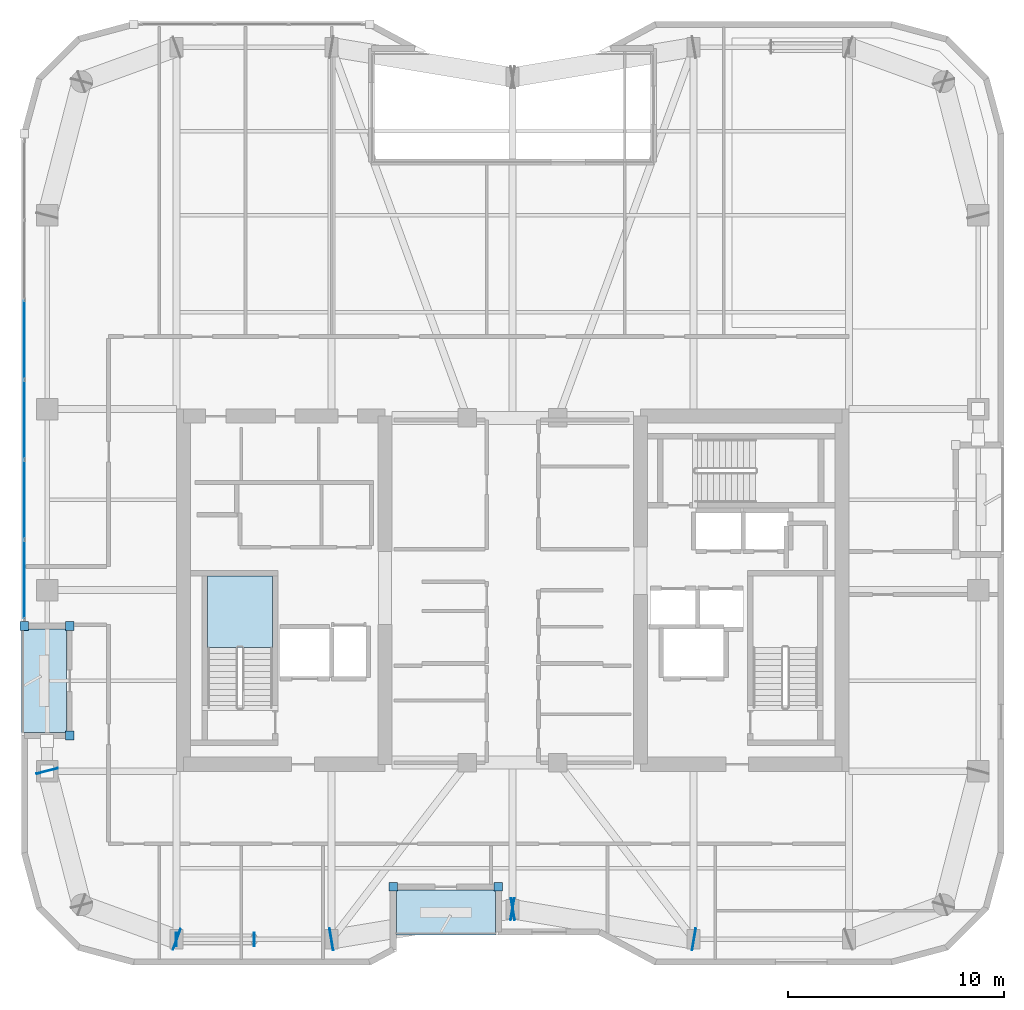
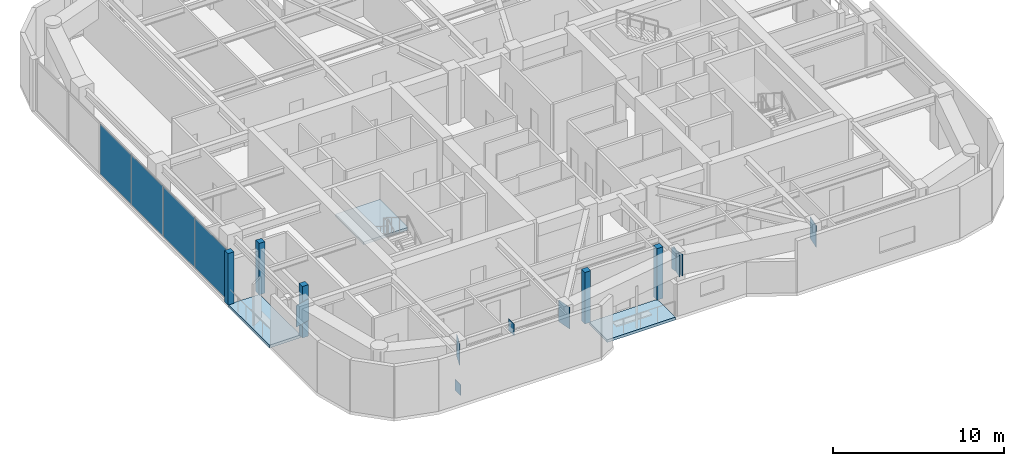
# One storey, part 12 of 22: 17 plates, 3 slabs, 2 elements without a shape of their own.
"""IFC4 building model written with IfcOpenShell, lengths in metres."""

from ifc_helpers import new_model, si_unit, direction, frame, origin, origin_2d, place, context, subcontext, project, spatial, polyline, rectangle, outline, extrude, material, layer, layer_set, type_object, element, aggregate, save


model = new_model("IFC4")

# Units and contexts
model_context = context("Model", 3, precision=1e-05, world=origin(), true_north=direction((0.0, 1.0)))
body_context = subcontext(model_context, "Body", "Model", "MODEL_VIEW")
ifc_project = project(units=[si_unit("LENGTHUNIT", "METRE"), si_unit("AREAUNIT", "SQUARE_METRE"), si_unit("VOLUMEUNIT", "CUBIC_METRE"), si_unit("PLANEANGLEUNIT", "RADIAN"), si_unit("MASSUNIT", "GRAM", prefix="KILO")], contexts=[model_context])

# Site, building, storey
site_placement = place(None, origin())
site = spatial("IfcSite", under=ifc_project, at=site_placement, CompositionType="ELEMENT")
building_placement = place(site_placement, origin())
building = spatial("IfcBuilding", under=site, at=building_placement, Name="Kiyonajd Concourse Tower", CompositionType="ELEMENT")
storey_placement = place(building_placement, frame((0.0, 0.0, 243.300048828125)))
storey = spatial("IfcBuildingStorey", under=building, at=storey_placement, Name="L61", CompositionType="ELEMENT", Elevation=243.300048828125)

# Plates
ifc_material_1 = material(Name="Steel ASTM A572 Grade 50", Category="steel")
ifc_layer_1 = layer(ifc_material_1, 0.028076171875)
ifc_layer_set_1 = layer_set([ifc_layer_1], Name="Steel ASTM A572 Grade 50")
plate_type_1 = type_object("IfcPlateType", Name="PL-CAP-450", PredefinedType="USERDEFINED", material=ifc_layer_set_1)
for number, where, z_axis, x_axis, name in (
    (1, (32.3916015625, 19.800048828125, -0.10888671875), (0.0, 0.0, 1.0), (-1.0, 0.0, 0.0), "L61 Hollow Brace End Cap Plate PBS"),
    (2, (36.00830078125, 19.800048828125, 2.93505859375), (0.0, 0.0, 1.0), (1.0, 0.0, 0.0), "L61 Hollow Brace Top Cap Plate PBS"),
):
    element("IfcPlate", number, at=place(storey_placement, frame(where, z_axis=z_axis, x_axis=x_axis)), inside=storey, type_object=plate_type_1, Name=name, ObjectType="CAP PLATE", PredefinedType="USERDEFINED", context=body_context, shape_type="SweptSolid", body=[
        extrude(rectangle(XDim=0.035888671875, YDim=0.6279296875, at=origin_2d()), origin(), (0.0, 0.0, 1.0), 0.803955078125),
    ])
ifc_layer_2 = layer(ifc_material_1, 0.031982421875)
ifc_layer_set_2 = layer_set([ifc_layer_2], Name="Steel ASTM A572 Grade 50")
plate_type_2 = type_object("IfcPlateType", Name="PL-CAP-540", PredefinedType="USERDEFINED", material=ifc_layer_set_2)
for number, where, z_axis, x_axis, name in (
    (3, (26.397216796875, 27.610595703125, 2.2099609375), (0.0, 0.0, 1.0), (-0.249873048837, 0.968278606324, 0.0), "L61 Welded Box Girder End Cap"),
    (4, (32.410400390625, 19.796142578125, 2.2099609375), (0.0, 0.0, 1.0), (0.939811951086, -0.341692107891, 0.0), "L61 Welded Box Girder End Cap"),
    (5, (39.589111328125, 19.798095703125, 2.2099609375), (0.0, 0.0, 1.0), (-0.986400586142, -0.164359008451, 0.0), "L61 Welded Box Girder End Cap"),
    (6, (48.010986328125, 21.201904296875, 2.2099609375), (0.0, 0.0, 1.0), (0.986400586142, 0.164359008451, 0.0), "L61 Welded Box Girder End Cap"),
    (7, (47.989013671875, 21.201904296875, 2.2099609375), (0.0, 0.0, 1.0), (-0.986400586142, 0.164359008451, 0.0), "L61 Welded Box Girder End Cap"),
    (8, (56.410888671875, 19.798095703125, 2.2099609375), (0.0, 0.0, 1.0), (0.986400586142, -0.164359008451, 0.0), "L61 Welded Box Girder End Cap"),
):
    element("IfcPlate", number, at=place(storey_placement, frame(where, z_axis=z_axis, x_axis=x_axis)), inside=storey, type_object=plate_type_2, Name=name, ObjectType="CAP PLATE", PredefinedType="USERDEFINED", context=body_context, shape_type="SweptSolid", body=[
        extrude(rectangle(XDim=0.035888671875, YDim=1.02001953125, at=origin_2d()), origin(), (0.0, 0.0, 1.0), 1.5400390625),
    ])

# Curtain wall, plates
ifc_material_2 = material(Name="Thermally Broken Anodised Aluminium", Category="aluminium")
ifc_layer_3 = layer(ifc_material_2, 0.179931640625)
ifc_layer_set_3 = layer_set([ifc_layer_3], Name="Thermally Broken Anodised Aluminium")
curtain_wall_type = type_object("IfcCurtainWallType", Name="CW-SYS-04", PredefinedType="NOTDEFINED", material=ifc_layer_set_3)
curtain_wall_placement = place(storey_placement, origin())
curtain_wall = element("IfcCurtainWall", 9, at=curtain_wall_placement, inside=storey, type_object=curtain_wall_type, Name="L61 Unitised Curtain Wall CW4", PredefinedType="NOTDEFINED")
ifc_material_3 = material(Name="Double Low-E Insulated Glass", Category="glass")
ifc_layer_4 = layer(ifc_material_3, 0.033935546875)
ifc_layer_set_4 = layer_set([ifc_layer_4], Name="Double Low-E Insulated Glass")
plate_type_3 = type_object("IfcPlateType", Name="PL-CW-VIS34", PredefinedType="CURTAIN_PANEL", material=ifc_layer_set_4)
plate_1_placement = place(storey_placement, frame((25.340087890625, 36.50146484375, 0.06494140625), z_axis=(0.0, 0.0, 1.0), x_axis=(0.0, 1.0, 0.0)))
plate_1 = element("IfcPlate", 10, at=plate_1_placement, type_object=plate_type_3, Name="CW4 panel 1.1", PredefinedType="CURTAIN_PANEL", context=body_context, shape_type="SweptSolid", body=[
    extrude(rectangle(XDim=3.61279296875, YDim=0.033935546875, at=origin_2d()), origin(), (0.0, 0.0, 1.0), 3.550048828125),
])
plate_2_placement = place(storey_placement, frame((25.340087890625, 40.1953125, 0.06494140625), z_axis=(0.0, 0.0, 1.0), x_axis=(0.0, 1.0, 0.0)))
plate_2 = element("IfcPlate", 11, at=plate_2_placement, type_object=plate_type_3, Name="CW4 panel 2.1", PredefinedType="CURTAIN_PANEL", context=body_context, shape_type="SweptSolid", body=[
    extrude(rectangle(XDim=3.645263671875, YDim=0.033935546875, at=origin_2d()), origin(), (0.0, 0.0, 1.0), 3.550048828125),
])
plate_3_placement = place(storey_placement, frame((25.340087890625, 43.90576171875, 0.06494140625), z_axis=(0.0, 0.0, 1.0), x_axis=(0.0, 1.0, 0.0)))
plate_3 = element("IfcPlate", 12, at=plate_3_placement, type_object=plate_type_3, Name="CW4 panel 3.1", PredefinedType="CURTAIN_PANEL", context=body_context, shape_type="SweptSolid", body=[
    extrude(rectangle(XDim=3.645263671875, YDim=0.033935546875, at=origin_2d()), origin(), (0.0, 0.0, 1.0), 3.550048828125),
])
plate_4_placement = place(storey_placement, frame((25.340087890625, 47.615966796875, 0.06494140625), z_axis=(0.0, 0.0, 1.0), x_axis=(0.0, 1.0, 0.0)))
plate_4 = element("IfcPlate", 13, at=plate_4_placement, type_object=plate_type_3, Name="CW4 panel 4.1", PredefinedType="CURTAIN_PANEL", context=body_context, shape_type="SweptSolid", body=[
    extrude(rectangle(XDim=3.645263671875, YDim=0.033935546875, at=origin_2d()), origin(), (0.0, 0.0, 1.0), 3.550048828125),
])
aggregate(curtain_wall, [plate_1, plate_2, plate_3, plate_4])

# Plates
ifc_layer_5 = layer(ifc_material_2, 0.39990234375)
ifc_layer_set_5 = layer_set([ifc_layer_5], Name="Thermally Broken Anodised Aluminium")
plate_type_4 = type_object("IfcPlateType", Name="PL-JMB-400", PredefinedType="USERDEFINED", material=ifc_layer_set_5)
for number, where, z_axis, x_axis, name in (
    (14, (27.43994140625, 29.260009765625, 0.0), (0.0, 0.0, 1.0), (1.0, 0.0, 0.0), "L61 Facade Jamb Closure Plate 01"),
    (15, (27.43994140625, 34.340087890625, 0.0), (0.0, 0.0, 1.0), (1.0, 0.0, 0.0), "L61 Facade Jamb Closure Plate 02"),
    (16, (25.340087890625, 34.340087890625, 0.0), (0.0, 0.0, 1.0), (1.0, 0.0, 0.0), "L61 Facade Jamb Closure Plate 03"),
    (17, (47.340087890625, 22.239990234375, 0.0), (0.0, 0.0, 1.0), (1.0, 0.0, 0.0), "L61 Facade Jamb Closure Plate 09"),
    (18, (42.4599609375, 22.239990234375, 0.0), (0.0, 0.0, 1.0), (1.0, 0.0, 0.0), "L61 Facade Jamb Closure Plate 10"),
):
    element("IfcPlate", number, at=place(storey_placement, frame(where, z_axis=z_axis, x_axis=x_axis)), inside=storey, type_object=plate_type_4, Name=name, ObjectType="JAMB PLATE", PredefinedType="USERDEFINED", context=body_context, shape_type="SweptSolid", body=[
        extrude(rectangle(XDim=0.39990234375, YDim=0.39990234375, at=origin_2d()), origin(), (0.0, 0.0, 1.0), 3.679931640625),
    ])

# Stair, slab
ifc_material_4 = material(Name="Concrete C40/50", Category="concrete")
stair_type = type_object("IfcStairType", Name="ST-DLG-22R", PredefinedType="HALF_TURN_STAIR", material=ifc_material_4)
stair_placement = place(storey_placement, origin())
stair = element("IfcStair", 19, at=stair_placement, inside=storey, type_object=stair_type, Name="L61 Protected Exit Stair ST1", PredefinedType="HALF_TURN_STAIR")
ifc_layer_6 = layer(ifc_material_4, 0.199951171875)
ifc_layer_set_6 = layer_set([ifc_layer_6], Name="Concrete C40/50")
slab_type_1 = type_object("IfcSlabType", Name="SL-LND-200", PredefinedType="LANDING", material=ifc_layer_set_6)
slab_1_placement = place(storey_placement, frame((0.0, 0.0, 1.75)))
slab_1 = element("IfcSlab", 20, at=slab_1_placement, type_object=slab_type_1, Name="ST1 landing 1", PredefinedType="LANDING", context=body_context, shape_type="SweptSolid", body=[
    extrude(outline(polyline([(36.85009765625, 33.35009765625), (36.85009765625, 36.64990234375), (33.85009765625, 36.64990234375), (33.85009765625, 33.35009765625), (36.85009765625, 33.35009765625)])), origin(), (0.0, 0.0, 1.0), 0.199951171875),
])
aggregate(stair, [slab_1])

# Slabs
ifc_material_5 = material(Name="Precast concrete C50/60", Category="concrete")
ifc_layer_7 = layer(ifc_material_5, 0.199951171875)
ifc_layer_set_7 = layer_set([ifc_layer_7], Name="Precast concrete C50/60")
slab_type_2 = type_object("IfcSlabType", Name="SL-LOG-200", PredefinedType="FLOOR", material=ifc_layer_set_7)
slab_2_placement = place(storey_placement, frame((0.0, 0.0, -0.199951171875)))
element("IfcSlab", 21, at=slab_2_placement, inside=storey, type_object=slab_type_2, Name="L61 Recessed Engawa Loggia Terrace Slab LOG-S", PredefinedType="FLOOR", context=body_context, shape_type="SweptSolid", body=[
    extrude(outline(polyline([(42.60009765625, 20.0), (47.199951171875, 20.0), (47.199951171875, 22.10009765625), (42.60009765625, 22.10009765625), (42.60009765625, 20.0)])), origin(), (0.0, 0.0, 1.0), 0.199951171875),
])
slab_3_placement = place(storey_placement, frame((0.0, 0.0, -0.199951171875)))
element("IfcSlab", 22, at=slab_3_placement, inside=storey, type_object=slab_type_2, Name="L61 Recessed Engawa Loggia Terrace Slab LOG-W", PredefinedType="FLOOR", context=body_context, shape_type="SweptSolid", body=[
    extrude(outline(polyline([(25.199951171875, 29.39990234375), (27.300048828125, 29.39990234375), (27.300048828125, 34.199951171875), (25.199951171875, 34.199951171875), (25.199951171875, 29.39990234375)])), origin(), (0.0, 0.0, 1.0), 0.199951171875),
])

save(model, "model.ifc")
